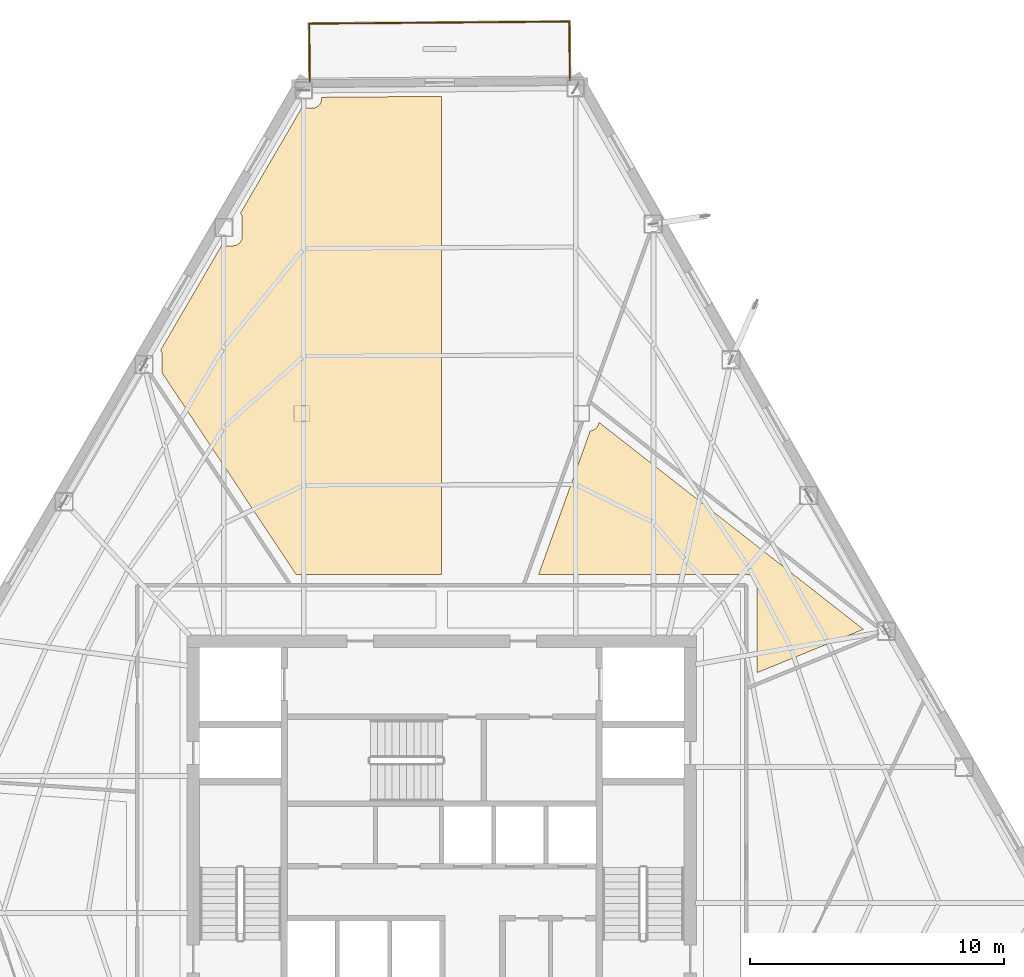
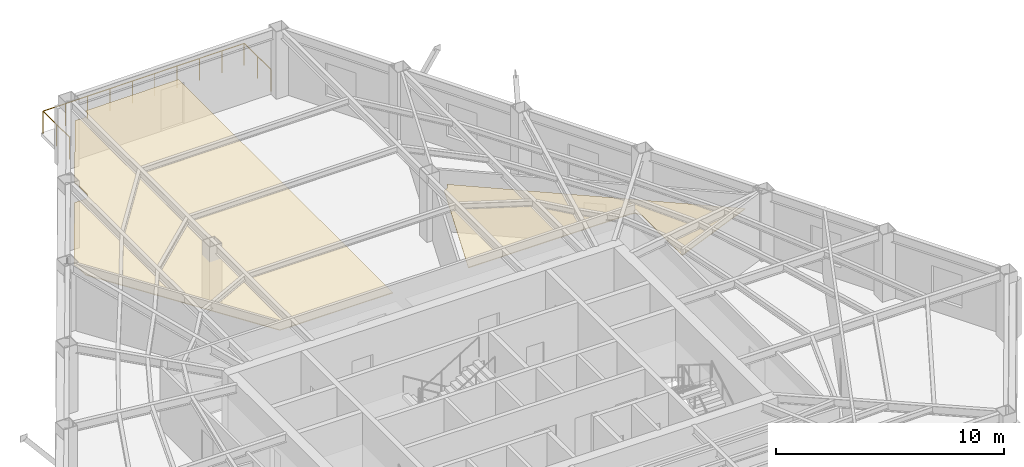
# One storey, part 12 of 12: 3 railings, 2 coverings.
"""IFC4 building model written with IfcOpenShell, lengths in metres."""

from ifc_helpers import new_model, si_unit, direction, frame, origin, origin_2d, place, context, subcontext, project, spatial, polyline, circle, outline, extrude, material, layer, layer_set, type_object, element, save


model = new_model("IFC4")

# Units and contexts
model_context = context("Model", 3, precision=1e-05, world=origin(), true_north=direction((0.0, 1.0)))
body_context = subcontext(model_context, "Body", "Model", "MODEL_VIEW")
ifc_project = project(units=[si_unit("LENGTHUNIT", "METRE"), si_unit("AREAUNIT", "SQUARE_METRE"), si_unit("VOLUMEUNIT", "CUBIC_METRE"), si_unit("PLANEANGLEUNIT", "RADIAN"), si_unit("MASSUNIT", "GRAM", prefix="KILO")], contexts=[model_context])

# Site, building, storey
site_placement = place(None, origin())
site = spatial("IfcSite", under=ifc_project, at=site_placement, CompositionType="ELEMENT")
building_placement = place(site_placement, origin())
building = spatial("IfcBuilding", under=site, at=building_placement, Name="Kavelnor Concourse Tower", CompositionType="ELEMENT")
storey_placement = place(building_placement, frame((0.0, 0.0, 147.10009765625)))
storey = spatial("IfcBuildingStorey", under=building, at=storey_placement, Name="L37", CompositionType="ELEMENT", Elevation=147.10009765625)

# Coverings
ifc_material_1 = material(Name="Mineral fibre acoustic ceiling tile")
ifc_layer = layer(ifc_material_1, 0.0400390625, Name="Mineral fibre acoustic ceiling tile")
ifc_layer_set = layer_set([ifc_layer], Name="Mineral fibre acoustic ceiling tile")
covering_type = type_object("IfcCoveringType", Name="COV-CEILING-ACOUSTIC", PredefinedType="CEILING", material=ifc_layer_set)
covering_1_placement = place(storey_placement, frame((0.0, 0.0, 2.75)))
element("IfcCovering", 1, at=covering_1_placement, inside=storey, type_object=covering_type, Name="L37 Suspended Acoustic Ceiling", PredefinedType="CEILING", context=body_context, shape_type="SweptSolid", body=[
    extrude(outline(polyline([(43.855224609375, 31.121337890625), (43.890380859375, 31.12646484375), (43.924560546875, 31.135009765625), (43.9580078125, 31.14697265625), (43.989990234375, 31.162109375), (44.020263671875, 31.180419921875), (44.048583984375, 31.201416015625), (44.07470703125, 31.22509765625), (44.0986328125, 31.25146484375), (44.11962890625, 31.27978515625), (44.137939453125, 31.31005859375), (44.153076171875, 31.342041015625), (44.164794921875, 31.37548828125), (44.173583984375, 31.40966796875), (44.1787109375, 31.444580078125), (44.17919921875, 31.45654296875), (54.581787109375, 23.314208984375), (50.392578125, 21.60498046875), (50.392578125, 25.058349609375), (50.390869140625, 25.091552734375), (50.384765625, 25.132568359375), (50.374755859375, 25.1728515625), (50.360595703125, 25.2119140625), (50.343017578125, 25.24951171875), (50.321533203125, 25.284912109375), (50.296875, 25.318359375), (50.26904296875, 25.34912109375), (50.23828125, 25.376953125), (50.205078125, 25.401611328125), (50.16943359375, 25.423095703125), (50.1318359375, 25.440673828125), (50.0927734375, 25.45458984375), (50.052490234375, 25.46484375), (50.011474609375, 25.470947265625), (49.978271484375, 25.472412109375), (41.809814453125, 25.472412109375), (43.840087890625, 31.12060546875), (43.855224609375, 31.121337890625)])), origin(), (0.0, 0.0, 1.0), 0.039794921875),
])
covering_2_placement = place(storey_placement, frame((0.0, 0.0, 2.75)))
element("IfcCovering", 2, at=covering_2_placement, inside=storey, type_object=covering_type, Name="L37 Suspended Acoustic Ceiling", PredefinedType="CEILING", context=body_context, shape_type="SweptSolid", body=[
    extrude(outline(polyline([(29.827392578125, 38.397705078125), (29.8623046875, 38.40283203125), (29.896484375, 38.411376953125), (29.929931640625, 38.42333984375), (29.9619140625, 38.4384765625), (29.9921875, 38.45654296875), (30.0205078125, 38.477783203125), (30.046875, 38.50146484375), (30.070556640625, 38.527587890625), (30.091796875, 38.55615234375), (30.10986328125, 38.58642578125), (30.125, 38.618408203125), (30.136962890625, 38.651611328125), (30.1455078125, 38.68603515625), (30.150634765625, 38.720947265625), (30.152099609375, 38.748046875), (30.152099609375, 39.484619140625), (30.150634765625, 39.51171875), (30.1455078125, 39.546630859375), (30.136962890625, 39.580810546875), (30.125, 39.6142578125), (30.10986328125, 39.646240234375), (30.091796875, 39.676513671875), (30.08642578125, 39.683349609375), (32.490234375, 43.80859375), (32.92236328125, 43.80859375), (32.949462890625, 43.809814453125), (32.984375, 43.815185546875), (33.018798828125, 43.82373046875), (33.052001953125, 43.835693359375), (33.083984375, 43.8505859375), (33.1142578125, 43.868896484375), (33.142578125, 43.889892578125), (33.1689453125, 43.913818359375), (33.192626953125, 43.93994140625), (33.2138671875, 43.968505859375), (33.23193359375, 43.998779296875), (33.2470703125, 44.03076171875), (33.259033203125, 44.06396484375), (33.267578125, 44.098388671875), (33.272705078125, 44.13330078125), (33.274169921875, 44.160400390625), (33.274169921875, 44.234375), (37.9951171875, 44.2724609375), (37.9951171875, 25.472412109375), (32.270751953125, 25.472412109375), (27.010009765625, 33.390380859375), (27.010009765625, 34.09228515625), (27.008544921875, 34.119384765625), (27.00341796875, 34.154296875), (26.994873046875, 34.188720703125), (26.98291015625, 34.221923828125), (26.9677734375, 34.25390625), (26.94970703125, 34.2841796875), (26.944580078125, 34.291259765625), (29.33642578125, 38.396240234375), (29.80029296875, 38.396240234375), (29.827392578125, 38.397705078125)])), origin(), (0.0, 0.0, 1.0), 0.039794921875),
])

# Railings
ifc_material_2 = material(Name="Architectural bronze-anodised aluminium", Category="aluminium")
railing_type = type_object("IfcRailingType", Name="RLG-TERRACE-1200", PredefinedType="BALUSTRADE", material=ifc_material_2)
railing_1_placement = place(storey_placement, frame((43.037109375, 44.9130859375, 0.0)))
element("IfcRailing", 3, at=railing_1_placement, inside=storey, type_object=railing_type, Name="L37 Spiral Terrace Guardrail L", PredefinedType="BALUSTRADE", context=body_context, shape_type="SweptSolid", body=[
    extrude(circle(Radius=0.02392578125, at=origin_2d()), frame((0.0, 0.0, 1.17578125), z_axis=(-0.008067677987, 0.999967455756, 0.0), x_axis=(-0.999967455756, -0.008067677987, 0.0)), (0.0, 0.0, 1.0), 2.2998046875),
    extrude(circle(Radius=0.02099609375, at=origin_2d()), origin(), (0.0, 0.0, 1.0), 1.15185546875),
    extrude(circle(Radius=0.02099609375, at=origin_2d()), frame((-0.00927734375, 1.14990234375, 0.0)), (0.0, 0.0, 1.0), 1.15185546875),
    extrude(circle(Radius=0.02099609375, at=origin_2d()), frame((-0.0185546875, 2.2998046875, 0.0)), (0.0, 0.0, 1.0), 1.15185546875),
])
railing_2_placement = place(storey_placement, frame((43.0185546875, 47.212890625, 0.0)))
element("IfcRailing", 4, at=railing_2_placement, inside=storey, type_object=railing_type, Name="L37 Spiral Terrace Guardrail F", PredefinedType="BALUSTRADE", context=body_context, shape_type="SweptSolid", body=[
    extrude(circle(Radius=0.02392578125, at=origin_2d()), frame((0.0, 0.0, 1.17578125), z_axis=(-0.999967652339, -0.008043275147, 0.0), x_axis=(0.008043275147, -0.999967652339, 0.0)), (0.0, 0.0, 1.0), 10.22900390625),
    extrude(circle(Radius=0.02099609375, at=origin_2d()), origin(), (0.0, 0.0, 1.0), 1.15185546875),
    extrude(circle(Radius=0.02099609375, at=origin_2d()), frame((-1.136474609375, -0.009033203125, 0.0)), (0.0, 0.0, 1.0), 1.15185546875),
    extrude(circle(Radius=0.02099609375, at=origin_2d()), frame((-2.27294921875, -0.018310546875, 0.0)), (0.0, 0.0, 1.0), 1.15185546875),
    extrude(circle(Radius=0.02099609375, at=origin_2d()), frame((-3.40966796875, -0.02734375, 0.0)), (0.0, 0.0, 1.0), 1.15185546875),
    extrude(circle(Radius=0.02099609375, at=origin_2d()), frame((-4.546142578125, -0.03662109375, 0.0)), (0.0, 0.0, 1.0), 1.15185546875),
    extrude(circle(Radius=0.02099609375, at=origin_2d()), frame((-5.6826171875, -0.045654296875, 0.0)), (0.0, 0.0, 1.0), 1.15185546875),
    extrude(circle(Radius=0.02099609375, at=origin_2d()), frame((-6.819091796875, -0.054931640625, 0.0)), (0.0, 0.0, 1.0), 1.15185546875),
    extrude(circle(Radius=0.02099609375, at=origin_2d()), frame((-7.955810546875, -0.06396484375, 0.0)), (0.0, 0.0, 1.0), 1.15185546875),
    extrude(circle(Radius=0.02099609375, at=origin_2d()), frame((-9.09228515625, -0.0732421875, 0.0)), (0.0, 0.0, 1.0), 1.15185546875),
    extrude(circle(Radius=0.02099609375, at=origin_2d()), frame((-10.228759765625, -0.082275390625, 0.0)), (0.0, 0.0, 1.0), 1.15185546875),
])
railing_3_placement = place(storey_placement, frame((32.789794921875, 47.130615234375, 0.0)))
element("IfcRailing", 5, at=railing_3_placement, inside=storey, type_object=railing_type, Name="L37 Spiral Terrace Guardrail R", PredefinedType="BALUSTRADE", context=body_context, shape_type="SweptSolid", body=[
    extrude(circle(Radius=0.02392578125, at=origin_2d()), frame((0.0, 0.0, 1.17578125), z_axis=(0.008066821692, -0.999967462665, 0.0), x_axis=(0.999967462665, 0.008066821692, 0.0)), (0.0, 0.0, 1.0), 2.300048828125),
    extrude(circle(Radius=0.02099609375, at=origin_2d()), origin(), (0.0, 0.0, 1.0), 1.15185546875),
    extrude(circle(Radius=0.02099609375, at=origin_2d()), frame((0.00927734375, -1.14990234375, 0.0)), (0.0, 0.0, 1.0), 1.15185546875),
    extrude(circle(Radius=0.02099609375, at=origin_2d()), frame((0.0185546875, -2.300048828125, 0.0)), (0.0, 0.0, 1.0), 1.15185546875),
])

save(model, "model.ifc")
